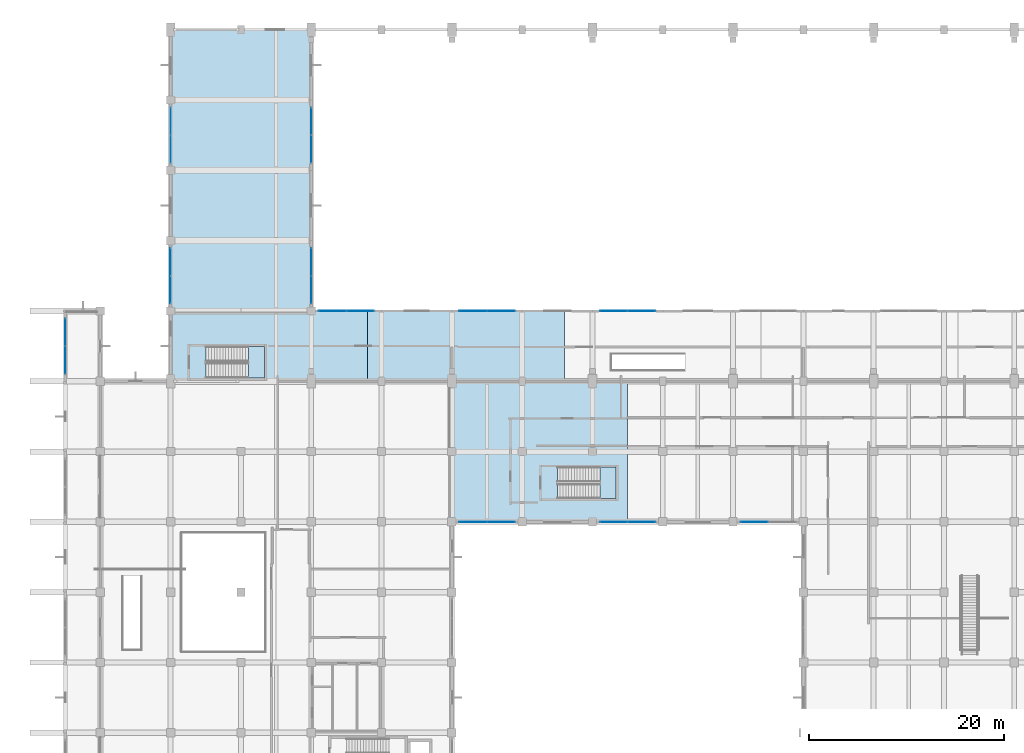
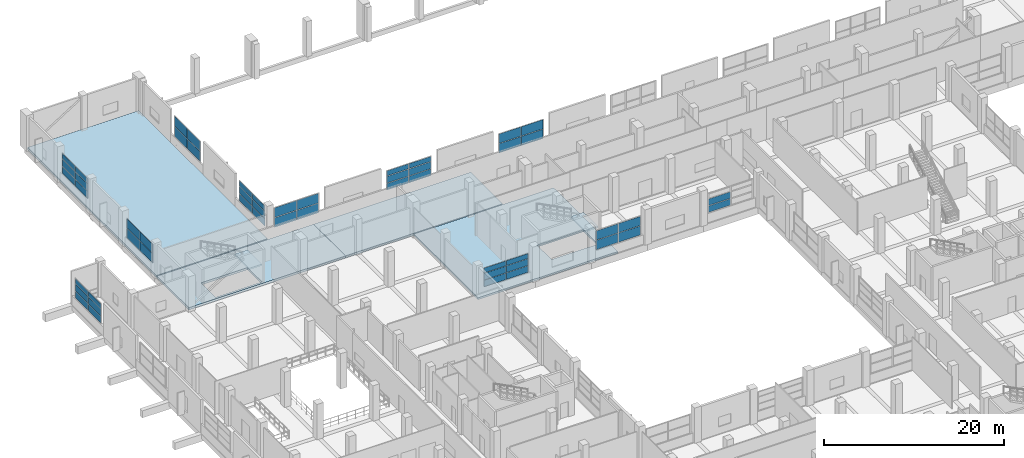
# One storey, part 148 of 181: 52 plates, 6 slabs, 13 elements without a shape of their own.
"""IFC4 building model written with IfcOpenShell, lengths in metres."""

from ifc_helpers import new_model, si_unit, direction, frame, origin, origin_2d, place, context, subcontext, project, spatial, polyline, rectangle, outline, extrude, material, layer, layer_set, type_object, element, aggregate, save


model = new_model("IFC4")

# Units and contexts
model_context = context("Model", 3, precision=1e-05, world=origin(), true_north=direction((0.0, 1.0)))
body_context = subcontext(model_context, "Body", "Model", "MODEL_VIEW")
ifc_project = project(units=[si_unit("LENGTHUNIT", "METRE"), si_unit("AREAUNIT", "SQUARE_METRE"), si_unit("VOLUMEUNIT", "CUBIC_METRE"), si_unit("PLANEANGLEUNIT", "RADIAN"), si_unit("MASSUNIT", "GRAM", prefix="KILO")], contexts=[model_context])

# Site, building, storey
site_placement = place(None, origin())
site = spatial("IfcSite", under=ifc_project, at=site_placement, CompositionType="ELEMENT")
building_placement = place(site_placement, origin())
building = spatial("IfcBuilding", under=site, at=building_placement, Name="Seraya Terrace Polytechnic", CompositionType="ELEMENT")
storey_placement = place(building_placement, frame((0.0, 0.0, 4.800048828125)))
storey = spatial("IfcBuildingStorey", under=building, at=storey_placement, Name="L01", CompositionType="ELEMENT", Elevation=4.800048828125)

# Curtain wall, plates
ifc_material_1 = material(Name="Anodised aluminium EN AW-6063 T6", Category="aluminium")
ifc_layer_1 = layer(ifc_material_1, 0.179931640625, Name="CW-07")
ifc_layer_set_1 = layer_set([ifc_layer_1], Name="Anodised aluminium EN AW-6063 T6")
curtain_wall_type_1 = type_object("IfcCurtainWallType", Name="CW-07", PredefinedType="NOTDEFINED", material=ifc_layer_set_1)
curtain_wall_1_placement = place(storey_placement, origin())
curtain_wall_1 = element("IfcCurtainWall", 1, at=curtain_wall_1_placement, inside=storey, type_object=curtain_wall_type_1, Name="Unitised curtain wall CW-07 (CW-L01-007)", PredefinedType="NOTDEFINED")
ifc_material_2 = material(Name="Laminated solar-control Low-E double glazing", Category="glass")
ifc_layer_2 = layer(ifc_material_2, 0.028076171875, Name="CWP-01")
ifc_layer_set_2 = layer_set([ifc_layer_2], Name="Laminated solar-control Low-E double glazing")
plate_type_1 = type_object("IfcPlateType", Name="CWP-01", PredefinedType="CURTAIN_PANEL", material=ifc_layer_set_2)
plate_1_placement = place(storey_placement, frame((14.39990234375, 102.976318359375, 1.2998046875), z_axis=(0.0, 0.0, 1.0), x_axis=(0.0, 1.0, 0.0)))
plate_1 = element("IfcPlate", 2, at=plate_1_placement, type_object=plate_type_1, Name="CW-07 panel 1.1", PredefinedType="CURTAIN_PANEL", context=body_context, shape_type="SweptSolid", body=[
    extrude(rectangle(XDim=2.782470703125, YDim=0.028076171875, at=origin_2d()), origin(), (0.0, 0.0, 1.0), 0.92529296875),
])
plate_2_placement = place(storey_placement, frame((14.39990234375, 102.976318359375, 2.28515625), z_axis=(0.0, 0.0, 1.0), x_axis=(0.0, 1.0, 0.0)))
plate_2 = element("IfcPlate", 3, at=plate_2_placement, type_object=plate_type_1, Name="CW-07 panel 1.2", PredefinedType="CURTAIN_PANEL", context=body_context, shape_type="SweptSolid", body=[
    extrude(rectangle(XDim=2.782470703125, YDim=0.028076171875, at=origin_2d()), origin(), (0.0, 0.0, 1.0), 0.955078125),
])
plate_3_placement = place(storey_placement, frame((14.39990234375, 102.976318359375, 3.30029296875), z_axis=(0.0, 0.0, 1.0), x_axis=(0.0, 1.0, 0.0)))
plate_3 = element("IfcPlate", 4, at=plate_3_placement, type_object=plate_type_1, Name="CW-07 panel 1.3", PredefinedType="CURTAIN_PANEL", context=body_context, shape_type="SweptSolid", body=[
    extrude(rectangle(XDim=2.782470703125, YDim=0.028076171875, at=origin_2d()), origin(), (0.0, 0.0, 1.0), 0.69970703125),
])
plate_4_placement = place(storey_placement, frame((14.39990234375, 105.82373046875, 1.2998046875), z_axis=(0.0, 0.0, 1.0), x_axis=(0.0, 1.0, 0.0)))
plate_4 = element("IfcPlate", 5, at=plate_4_placement, type_object=plate_type_1, Name="CW-07 panel 2.1", PredefinedType="CURTAIN_PANEL", context=body_context, shape_type="SweptSolid", body=[
    extrude(rectangle(XDim=2.782470703125, YDim=0.028076171875, at=origin_2d()), origin(), (0.0, 0.0, 1.0), 0.92529296875),
])
plate_5_placement = place(storey_placement, frame((14.39990234375, 105.82373046875, 2.28515625), z_axis=(0.0, 0.0, 1.0), x_axis=(0.0, 1.0, 0.0)))
plate_5 = element("IfcPlate", 6, at=plate_5_placement, type_object=plate_type_1, Name="CW-07 panel 2.2", PredefinedType="CURTAIN_PANEL", context=body_context, shape_type="SweptSolid", body=[
    extrude(rectangle(XDim=2.782470703125, YDim=0.028076171875, at=origin_2d()), origin(), (0.0, 0.0, 1.0), 0.955078125),
])
plate_6_placement = place(storey_placement, frame((14.39990234375, 105.82373046875, 3.30029296875), z_axis=(0.0, 0.0, 1.0), x_axis=(0.0, 1.0, 0.0)))
plate_6 = element("IfcPlate", 7, at=plate_6_placement, type_object=plate_type_1, Name="CW-07 panel 2.3", PredefinedType="CURTAIN_PANEL", context=body_context, shape_type="SweptSolid", body=[
    extrude(rectangle(XDim=2.782470703125, YDim=0.028076171875, at=origin_2d()), origin(), (0.0, 0.0, 1.0), 0.69970703125),
])
aggregate(curtain_wall_1, [plate_1, plate_2, plate_3, plate_4, plate_5, plate_6])

ifc_layer_3 = layer(ifc_material_1, 0.179931640625, Name="CW-10")
ifc_layer_set_3 = layer_set([ifc_layer_3], Name="Anodised aluminium EN AW-6063 T6")
curtain_wall_type_2 = type_object("IfcCurtainWallType", Name="CW-10", PredefinedType="NOTDEFINED", material=ifc_layer_set_3)
curtain_wall_2_placement = place(storey_placement, origin())
curtain_wall_2 = element("IfcCurtainWall", 8, at=curtain_wall_2_placement, inside=storey, type_object=curtain_wall_type_2, Name="Unitised curtain wall CW-10 (CW-L01-010)", PredefinedType="NOTDEFINED")
plate_7_placement = place(storey_placement, frame((30.976318359375, 86.39990234375, 1.300048828125), z_axis=(0.0, 0.0, 1.0), x_axis=(1.0, 0.0, 0.0)))
plate_7 = element("IfcPlate", 9, at=plate_7_placement, type_object=plate_type_1, Name="CW-10 panel 1.1", PredefinedType="CURTAIN_PANEL", context=body_context, shape_type="SweptSolid", body=[
    extrude(rectangle(XDim=2.782470703125, YDim=0.028076171875, at=origin_2d()), origin(), (0.0, 0.0, 1.0), 1.2900390625),
])
plate_8_placement = place(storey_placement, frame((30.976318359375, 86.39990234375, 2.64990234375), z_axis=(0.0, 0.0, 1.0), x_axis=(1.0, 0.0, 0.0)))
plate_8 = element("IfcPlate", 10, at=plate_8_placement, type_object=plate_type_1, Name="CW-10 panel 1.2", PredefinedType="CURTAIN_PANEL", context=body_context, shape_type="SweptSolid", body=[
    extrude(rectangle(XDim=2.782470703125, YDim=0.028076171875, at=origin_2d()), origin(), (0.0, 0.0, 1.0), 1.2900390625),
])
plate_9_placement = place(storey_placement, frame((33.82373046875, 86.39990234375, 1.300048828125), z_axis=(0.0, 0.0, 1.0), x_axis=(1.0, 0.0, 0.0)))
plate_9 = element("IfcPlate", 11, at=plate_9_placement, type_object=plate_type_1, Name="CW-10 panel 2.1", PredefinedType="CURTAIN_PANEL", context=body_context, shape_type="SweptSolid", body=[
    extrude(rectangle(XDim=2.782470703125, YDim=0.028076171875, at=origin_2d()), origin(), (0.0, 0.0, 1.0), 1.2900390625),
])
plate_10_placement = place(storey_placement, frame((33.82373046875, 86.39990234375, 2.64990234375), z_axis=(0.0, 0.0, 1.0), x_axis=(1.0, 0.0, 0.0)))
plate_10 = element("IfcPlate", 12, at=plate_10_placement, type_object=plate_type_1, Name="CW-10 panel 2.2", PredefinedType="CURTAIN_PANEL", context=body_context, shape_type="SweptSolid", body=[
    extrude(rectangle(XDim=2.782470703125, YDim=0.028076171875, at=origin_2d()), origin(), (0.0, 0.0, 1.0), 1.2900390625),
])
aggregate(curtain_wall_2, [plate_7, plate_8, plate_9, plate_10])

curtain_wall_3_placement = place(storey_placement, origin())
curtain_wall_3 = element("IfcCurtainWall", 13, at=curtain_wall_3_placement, inside=storey, type_object=curtain_wall_type_1, Name="Unitised curtain wall CW-07 (CW-L01-043)", PredefinedType="NOTDEFINED")
plate_11_placement = place(storey_placement, frame((74.17626953125, 64.800048828125, 1.300048828125), z_axis=(0.0, 0.0, 1.0), x_axis=(-1.0, 0.0, 0.0)))
plate_11 = element("IfcPlate", 14, at=plate_11_placement, type_object=plate_type_1, Name="CW-07 panel 2.1", PredefinedType="CURTAIN_PANEL", context=body_context, shape_type="SweptSolid", body=[
    extrude(rectangle(XDim=2.782470703125, YDim=0.028076171875, at=origin_2d()), origin(), (0.0, 0.0, 1.0), 0.8603515625),
])
plate_12_placement = place(storey_placement, frame((74.17626953125, 64.800048828125, 2.22021484375), z_axis=(0.0, 0.0, 1.0), x_axis=(-1.0, 0.0, 0.0)))
plate_12 = element("IfcPlate", 15, at=plate_12_placement, type_object=plate_type_1, Name="CW-07 panel 2.2", PredefinedType="CURTAIN_PANEL", context=body_context, shape_type="SweptSolid", body=[
    extrude(rectangle(XDim=2.782470703125, YDim=0.028076171875, at=origin_2d()), origin(), (0.0, 0.0, 1.0), 0.890380859375),
])
aggregate(curtain_wall_3, [plate_11, plate_12])

ifc_layer_4 = layer(ifc_material_1, 0.179931640625, Name="CW-05")
ifc_layer_set_4 = layer_set([ifc_layer_4], Name="Anodised aluminium EN AW-6063 T6")
curtain_wall_type_3 = type_object("IfcCurtainWallType", Name="CW-05", PredefinedType="NOTDEFINED", material=ifc_layer_set_4)
curtain_wall_4_placement = place(storey_placement, origin())
curtain_wall_4 = element("IfcCurtainWall", 16, at=curtain_wall_4_placement, inside=storey, type_object=curtain_wall_type_3, Name="Unitised curtain wall CW-05 (CW-L01-005)", PredefinedType="NOTDEFINED")
ifc_layer_5 = layer(ifc_material_2, 0.031982421875, Name="CWP-02")
ifc_layer_set_5 = layer_set([ifc_layer_5], Name="Laminated solar-control Low-E double glazing")
plate_type_2 = type_object("IfcPlateType", Name="CWP-02", PredefinedType="CURTAIN_PANEL", material=ifc_layer_set_5)
plate_13_placement = place(storey_placement, frame((3.60009765625, 81.375, 1.300048828125), z_axis=(0.0, 0.0, 1.0), x_axis=(0.0, 1.0, 0.0)))
plate_13 = element("IfcPlate", 17, at=plate_13_placement, type_object=plate_type_2, Name="CW-05 panel 1.1", PredefinedType="CURTAIN_PANEL", context=body_context, shape_type="SweptSolid", body=[
    extrude(rectangle(XDim=2.7900390625, YDim=0.031982421875, at=origin_2d()), origin(), (0.0, 0.0, 1.0), 0.88916015625),
])
plate_14_placement = place(storey_placement, frame((3.60009765625, 81.375, 2.2490234375), z_axis=(0.0, 0.0, 1.0), x_axis=(0.0, 1.0, 0.0)))
plate_14 = element("IfcPlate", 18, at=plate_14_placement, type_object=plate_type_2, Name="CW-05 panel 1.2", PredefinedType="CURTAIN_PANEL", context=body_context, shape_type="SweptSolid", body=[
    extrude(rectangle(XDim=2.7900390625, YDim=0.031982421875, at=origin_2d()), origin(), (0.0, 0.0, 1.0), 0.919189453125),
])
plate_15_placement = place(storey_placement, frame((3.60009765625, 81.375, 3.228515625), z_axis=(0.0, 0.0, 1.0), x_axis=(0.0, 1.0, 0.0)))
plate_15 = element("IfcPlate", 19, at=plate_15_placement, type_object=plate_type_2, Name="CW-05 panel 1.3", PredefinedType="CURTAIN_PANEL", context=body_context, shape_type="SweptSolid", body=[
    extrude(rectangle(XDim=2.7900390625, YDim=0.031982421875, at=origin_2d()), origin(), (0.0, 0.0, 1.0), 0.671630859375),
])
plate_16_placement = place(storey_placement, frame((3.60009765625, 84.22509765625, 1.300048828125), z_axis=(0.0, 0.0, 1.0), x_axis=(0.0, 1.0, 0.0)))
plate_16 = element("IfcPlate", 20, at=plate_16_placement, type_object=plate_type_2, Name="CW-05 panel 2.1", PredefinedType="CURTAIN_PANEL", context=body_context, shape_type="SweptSolid", body=[
    extrude(rectangle(XDim=2.7900390625, YDim=0.031982421875, at=origin_2d()), origin(), (0.0, 0.0, 1.0), 0.88916015625),
])
plate_17_placement = place(storey_placement, frame((3.60009765625, 84.22509765625, 2.2490234375), z_axis=(0.0, 0.0, 1.0), x_axis=(0.0, 1.0, 0.0)))
plate_17 = element("IfcPlate", 21, at=plate_17_placement, type_object=plate_type_2, Name="CW-05 panel 2.2", PredefinedType="CURTAIN_PANEL", context=body_context, shape_type="SweptSolid", body=[
    extrude(rectangle(XDim=2.7900390625, YDim=0.031982421875, at=origin_2d()), origin(), (0.0, 0.0, 1.0), 0.919189453125),
])
plate_18_placement = place(storey_placement, frame((3.60009765625, 84.22509765625, 3.228515625), z_axis=(0.0, 0.0, 1.0), x_axis=(0.0, 1.0, 0.0)))
plate_18 = element("IfcPlate", 22, at=plate_18_placement, type_object=plate_type_2, Name="CW-05 panel 2.3", PredefinedType="CURTAIN_PANEL", context=body_context, shape_type="SweptSolid", body=[
    extrude(rectangle(XDim=2.7900390625, YDim=0.031982421875, at=origin_2d()), origin(), (0.0, 0.0, 1.0), 0.671630859375),
])
aggregate(curtain_wall_4, [plate_13, plate_14, plate_15, plate_16, plate_17, plate_18])

ifc_layer_6 = layer(ifc_material_1, 0.179931640625, Name="CW-08")
ifc_layer_set_6 = layer_set([ifc_layer_6], Name="Anodised aluminium EN AW-6063 T6")
curtain_wall_type_4 = type_object("IfcCurtainWallType", Name="CW-08", PredefinedType="NOTDEFINED", material=ifc_layer_set_6)
curtain_wall_5_placement = place(storey_placement, origin())
curtain_wall_5 = element("IfcCurtainWall", 23, at=curtain_wall_5_placement, inside=storey, type_object=curtain_wall_type_4, Name="Unitised curtain wall CW-08 (CW-L01-008)", PredefinedType="NOTDEFINED")
plate_19_placement = place(storey_placement, frame((28.800048828125, 105.824951171875, 1.2998046875), z_axis=(0.0, 0.0, 1.0), x_axis=(0.0, -1.0, 0.0)))
plate_19 = element("IfcPlate", 24, at=plate_19_placement, type_object=plate_type_2, Name="CW-08 panel 1.1", PredefinedType="CURTAIN_PANEL", context=body_context, shape_type="SweptSolid", body=[
    extrude(rectangle(XDim=2.7900390625, YDim=0.031982421875, at=origin_2d()), origin(), (0.0, 0.0, 1.0), 1.330078125),
])
plate_20_placement = place(storey_placement, frame((28.800048828125, 105.824951171875, 2.68994140625), z_axis=(0.0, 0.0, 1.0), x_axis=(0.0, -1.0, 0.0)))
plate_20 = element("IfcPlate", 25, at=plate_20_placement, type_object=plate_type_2, Name="CW-08 panel 1.2", PredefinedType="CURTAIN_PANEL", context=body_context, shape_type="SweptSolid", body=[
    extrude(rectangle(XDim=2.7900390625, YDim=0.031982421875, at=origin_2d()), origin(), (0.0, 0.0, 1.0), 1.330078125),
])
plate_21_placement = place(storey_placement, frame((28.800048828125, 102.97509765625, 1.2998046875), z_axis=(0.0, 0.0, 1.0), x_axis=(0.0, -1.0, 0.0)))
plate_21 = element("IfcPlate", 26, at=plate_21_placement, type_object=plate_type_2, Name="CW-08 panel 2.1", PredefinedType="CURTAIN_PANEL", context=body_context, shape_type="SweptSolid", body=[
    extrude(rectangle(XDim=2.7900390625, YDim=0.031982421875, at=origin_2d()), origin(), (0.0, 0.0, 1.0), 1.330078125),
])
plate_22_placement = place(storey_placement, frame((28.800048828125, 102.97509765625, 2.68994140625), z_axis=(0.0, 0.0, 1.0), x_axis=(0.0, -1.0, 0.0)))
plate_22 = element("IfcPlate", 27, at=plate_22_placement, type_object=plate_type_2, Name="CW-08 panel 2.2", PredefinedType="CURTAIN_PANEL", context=body_context, shape_type="SweptSolid", body=[
    extrude(rectangle(XDim=2.7900390625, YDim=0.031982421875, at=origin_2d()), origin(), (0.0, 0.0, 1.0), 1.330078125),
])
aggregate(curtain_wall_5, [plate_19, plate_20, plate_21, plate_22])

ifc_layer_7 = layer(ifc_material_1, 0.179931640625, Name="CW-11")
ifc_layer_set_7 = layer_set([ifc_layer_7], Name="Anodised aluminium EN AW-6063 T6")
curtain_wall_type_5 = type_object("IfcCurtainWallType", Name="CW-11", PredefinedType="NOTDEFINED", material=ifc_layer_set_7)
curtain_wall_6_placement = place(storey_placement, origin())
curtain_wall_6 = element("IfcCurtainWall", 28, at=curtain_wall_6_placement, inside=storey, type_object=curtain_wall_type_5, Name="Unitised curtain wall CW-11 (CW-L01-011)", PredefinedType="NOTDEFINED")
plate_23_placement = place(storey_placement, frame((45.375, 86.39990234375, 1.300048828125), z_axis=(0.0, 0.0, 1.0), x_axis=(1.0, 0.0, 0.0)))
plate_23 = element("IfcPlate", 29, at=plate_23_placement, type_object=plate_type_2, Name="CW-11 panel 1.1", PredefinedType="CURTAIN_PANEL", context=body_context, shape_type="SweptSolid", body=[
    extrude(rectangle(XDim=2.7900390625, YDim=0.031982421875, at=origin_2d()), origin(), (0.0, 0.0, 1.0), 0.88916015625),
])
plate_24_placement = place(storey_placement, frame((45.375, 86.39990234375, 2.2490234375), z_axis=(0.0, 0.0, 1.0), x_axis=(1.0, 0.0, 0.0)))
plate_24 = element("IfcPlate", 30, at=plate_24_placement, type_object=plate_type_2, Name="CW-11 panel 1.2", PredefinedType="CURTAIN_PANEL", context=body_context, shape_type="SweptSolid", body=[
    extrude(rectangle(XDim=2.7900390625, YDim=0.031982421875, at=origin_2d()), origin(), (0.0, 0.0, 1.0), 0.919189453125),
])
plate_25_placement = place(storey_placement, frame((45.375, 86.39990234375, 3.228515625), z_axis=(0.0, 0.0, 1.0), x_axis=(1.0, 0.0, 0.0)))
plate_25 = element("IfcPlate", 31, at=plate_25_placement, type_object=plate_type_2, Name="CW-11 panel 1.3", PredefinedType="CURTAIN_PANEL", context=body_context, shape_type="SweptSolid", body=[
    extrude(rectangle(XDim=2.7900390625, YDim=0.031982421875, at=origin_2d()), origin(), (0.0, 0.0, 1.0), 0.671630859375),
])
plate_26_placement = place(storey_placement, frame((48.22509765625, 86.39990234375, 1.300048828125), z_axis=(0.0, 0.0, 1.0), x_axis=(1.0, 0.0, 0.0)))
plate_26 = element("IfcPlate", 32, at=plate_26_placement, type_object=plate_type_2, Name="CW-11 panel 2.1", PredefinedType="CURTAIN_PANEL", context=body_context, shape_type="SweptSolid", body=[
    extrude(rectangle(XDim=2.7900390625, YDim=0.031982421875, at=origin_2d()), origin(), (0.0, 0.0, 1.0), 0.88916015625),
])
plate_27_placement = place(storey_placement, frame((48.22509765625, 86.39990234375, 2.2490234375), z_axis=(0.0, 0.0, 1.0), x_axis=(1.0, 0.0, 0.0)))
plate_27 = element("IfcPlate", 33, at=plate_27_placement, type_object=plate_type_2, Name="CW-11 panel 2.2", PredefinedType="CURTAIN_PANEL", context=body_context, shape_type="SweptSolid", body=[
    extrude(rectangle(XDim=2.7900390625, YDim=0.031982421875, at=origin_2d()), origin(), (0.0, 0.0, 1.0), 0.919189453125),
])
plate_28_placement = place(storey_placement, frame((48.22509765625, 86.39990234375, 3.228515625), z_axis=(0.0, 0.0, 1.0), x_axis=(1.0, 0.0, 0.0)))
plate_28 = element("IfcPlate", 34, at=plate_28_placement, type_object=plate_type_2, Name="CW-11 panel 2.3", PredefinedType="CURTAIN_PANEL", context=body_context, shape_type="SweptSolid", body=[
    extrude(rectangle(XDim=2.7900390625, YDim=0.031982421875, at=origin_2d()), origin(), (0.0, 0.0, 1.0), 0.671630859375),
])
aggregate(curtain_wall_6, [plate_23, plate_24, plate_25, plate_26, plate_27, plate_28])

curtain_wall_7_placement = place(storey_placement, origin())
curtain_wall_7 = element("IfcCurtainWall", 35, at=curtain_wall_7_placement, inside=storey, type_object=curtain_wall_type_4, Name="Unitised curtain wall CW-08 (CW-L01-044)", PredefinedType="NOTDEFINED")
plate_29_placement = place(storey_placement, frame((62.625, 64.800048828125, 1.300048828125), z_axis=(0.0, 0.0, 1.0), x_axis=(-1.0, 0.0, 0.0)))
plate_29 = element("IfcPlate", 36, at=plate_29_placement, type_object=plate_type_2, Name="CW-08 panel 1.1", PredefinedType="CURTAIN_PANEL", context=body_context, shape_type="SweptSolid", body=[
    extrude(rectangle(XDim=2.7900390625, YDim=0.031982421875, at=origin_2d()), origin(), (0.0, 0.0, 1.0), 1.22998046875),
])
plate_30_placement = place(storey_placement, frame((62.625, 64.800048828125, 2.58984375), z_axis=(0.0, 0.0, 1.0), x_axis=(-1.0, 0.0, 0.0)))
plate_30 = element("IfcPlate", 37, at=plate_30_placement, type_object=plate_type_2, Name="CW-08 panel 1.2", PredefinedType="CURTAIN_PANEL", context=body_context, shape_type="SweptSolid", body=[
    extrude(rectangle(XDim=2.7900390625, YDim=0.031982421875, at=origin_2d()), origin(), (0.0, 0.0, 1.0), 1.22998046875),
])
plate_31_placement = place(storey_placement, frame((59.77490234375, 64.800048828125, 1.300048828125), z_axis=(0.0, 0.0, 1.0), x_axis=(-1.0, 0.0, 0.0)))
plate_31 = element("IfcPlate", 38, at=plate_31_placement, type_object=plate_type_2, Name="CW-08 panel 2.1", PredefinedType="CURTAIN_PANEL", context=body_context, shape_type="SweptSolid", body=[
    extrude(rectangle(XDim=2.7900390625, YDim=0.031982421875, at=origin_2d()), origin(), (0.0, 0.0, 1.0), 1.22998046875),
])
plate_32_placement = place(storey_placement, frame((59.77490234375, 64.800048828125, 2.58984375), z_axis=(0.0, 0.0, 1.0), x_axis=(-1.0, 0.0, 0.0)))
plate_32 = element("IfcPlate", 39, at=plate_32_placement, type_object=plate_type_2, Name="CW-08 panel 2.2", PredefinedType="CURTAIN_PANEL", context=body_context, shape_type="SweptSolid", body=[
    extrude(rectangle(XDim=2.7900390625, YDim=0.031982421875, at=origin_2d()), origin(), (0.0, 0.0, 1.0), 1.22998046875),
])
aggregate(curtain_wall_7, [plate_29, plate_30, plate_31, plate_32])

ifc_layer_8 = layer(ifc_material_1, 0.179931640625, Name="CW-06")
ifc_layer_set_8 = layer_set([ifc_layer_8], Name="Anodised aluminium EN AW-6063 T6")
curtain_wall_type_6 = type_object("IfcCurtainWallType", Name="CW-06", PredefinedType="NOTDEFINED", material=ifc_layer_set_8)
curtain_wall_8_placement = place(storey_placement, origin())
curtain_wall_8 = element("IfcCurtainWall", 40, at=curtain_wall_8_placement, inside=storey, type_object=curtain_wall_type_6, Name="Unitised curtain wall CW-06 (CW-L01-006)", PredefinedType="NOTDEFINED")
ifc_layer_9 = layer(ifc_material_2, 0.035888671875, Name="CWP-03")
ifc_layer_set_9 = layer_set([ifc_layer_9], Name="Laminated solar-control Low-E double glazing")
plate_type_3 = type_object("IfcPlateType", Name="CWP-03", PredefinedType="CURTAIN_PANEL", material=ifc_layer_set_9)
plate_33_placement = place(storey_placement, frame((14.39990234375, 88.574951171875, 1.294921875), z_axis=(0.0, 0.0, 1.0), x_axis=(0.0, 1.0, 0.0)))
plate_33 = element("IfcPlate", 41, at=plate_33_placement, type_object=plate_type_3, Name="CW-06 panel 1.1", PredefinedType="CURTAIN_PANEL", context=body_context, shape_type="SweptSolid", body=[
    extrude(rectangle(XDim=2.7900390625, YDim=0.035888671875, at=origin_2d()), origin(), (0.0, 0.0, 1.0), 1.257568359375),
])
plate_34_placement = place(storey_placement, frame((14.39990234375, 88.574951171875, 2.607421875), z_axis=(0.0, 0.0, 1.0), x_axis=(0.0, 1.0, 0.0)))
plate_34 = element("IfcPlate", 42, at=plate_34_placement, type_object=plate_type_3, Name="CW-06 panel 1.2", PredefinedType="CURTAIN_PANEL", context=body_context, shape_type="SweptSolid", body=[
    extrude(rectangle(XDim=2.7900390625, YDim=0.035888671875, at=origin_2d()), origin(), (0.0, 0.0, 1.0), 1.257568359375),
])
plate_35_placement = place(storey_placement, frame((14.39990234375, 91.425048828125, 1.294921875), z_axis=(0.0, 0.0, 1.0), x_axis=(0.0, 1.0, 0.0)))
plate_35 = element("IfcPlate", 43, at=plate_35_placement, type_object=plate_type_3, Name="CW-06 panel 2.1", PredefinedType="CURTAIN_PANEL", context=body_context, shape_type="SweptSolid", body=[
    extrude(rectangle(XDim=2.7900390625, YDim=0.035888671875, at=origin_2d()), origin(), (0.0, 0.0, 1.0), 1.257568359375),
])
plate_36_placement = place(storey_placement, frame((14.39990234375, 91.425048828125, 2.607421875), z_axis=(0.0, 0.0, 1.0), x_axis=(0.0, 1.0, 0.0)))
plate_36 = element("IfcPlate", 44, at=plate_36_placement, type_object=plate_type_3, Name="CW-06 panel 2.2", PredefinedType="CURTAIN_PANEL", context=body_context, shape_type="SweptSolid", body=[
    extrude(rectangle(XDim=2.7900390625, YDim=0.035888671875, at=origin_2d()), origin(), (0.0, 0.0, 1.0), 1.257568359375),
])
aggregate(curtain_wall_8, [plate_33, plate_34, plate_35, plate_36])

ifc_layer_10 = layer(ifc_material_1, 0.179931640625, Name="CW-09")
ifc_layer_set_10 = layer_set([ifc_layer_10], Name="Anodised aluminium EN AW-6063 T6")
curtain_wall_type_7 = type_object("IfcCurtainWallType", Name="CW-09", PredefinedType="NOTDEFINED", material=ifc_layer_set_10)
curtain_wall_9_placement = place(storey_placement, origin())
curtain_wall_9 = element("IfcCurtainWall", 45, at=curtain_wall_9_placement, inside=storey, type_object=curtain_wall_type_7, Name="Unitised curtain wall CW-09 (CW-L01-009)", PredefinedType="NOTDEFINED")
plate_37_placement = place(storey_placement, frame((28.800048828125, 91.425048828125, 1.294921875), z_axis=(0.0, 0.0, 1.0), x_axis=(0.0, -1.0, 0.0)))
plate_37 = element("IfcPlate", 46, at=plate_37_placement, type_object=plate_type_3, Name="CW-09 panel 1.1", PredefinedType="CURTAIN_PANEL", context=body_context, shape_type="SweptSolid", body=[
    extrude(rectangle(XDim=2.7900390625, YDim=0.035888671875, at=origin_2d()), origin(), (0.0, 0.0, 1.0), 0.925537109375),
])
plate_38_placement = place(storey_placement, frame((28.800048828125, 91.425048828125, 2.275390625), z_axis=(0.0, 0.0, 1.0), x_axis=(0.0, -1.0, 0.0)))
plate_38 = element("IfcPlate", 47, at=plate_38_placement, type_object=plate_type_3, Name="CW-09 panel 1.2", PredefinedType="CURTAIN_PANEL", context=body_context, shape_type="SweptSolid", body=[
    extrude(rectangle(XDim=2.7900390625, YDim=0.035888671875, at=origin_2d()), origin(), (0.0, 0.0, 1.0), 0.952880859375),
])
plate_39_placement = place(storey_placement, frame((28.800048828125, 91.425048828125, 3.28369140625), z_axis=(0.0, 0.0, 1.0), x_axis=(0.0, -1.0, 0.0)))
plate_39 = element("IfcPlate", 48, at=plate_39_placement, type_object=plate_type_3, Name="CW-09 panel 1.3", PredefinedType="CURTAIN_PANEL", context=body_context, shape_type="SweptSolid", body=[
    extrude(rectangle(XDim=2.7900390625, YDim=0.035888671875, at=origin_2d()), origin(), (0.0, 0.0, 1.0), 0.701416015625),
])
plate_40_placement = place(storey_placement, frame((28.800048828125, 88.574951171875, 1.294921875), z_axis=(0.0, 0.0, 1.0), x_axis=(0.0, -1.0, 0.0)))
plate_40 = element("IfcPlate", 49, at=plate_40_placement, type_object=plate_type_3, Name="CW-09 panel 2.1", PredefinedType="CURTAIN_PANEL", context=body_context, shape_type="SweptSolid", body=[
    extrude(rectangle(XDim=2.7900390625, YDim=0.035888671875, at=origin_2d()), origin(), (0.0, 0.0, 1.0), 0.925537109375),
])
plate_41_placement = place(storey_placement, frame((28.800048828125, 88.574951171875, 2.275390625), z_axis=(0.0, 0.0, 1.0), x_axis=(0.0, -1.0, 0.0)))
plate_41 = element("IfcPlate", 50, at=plate_41_placement, type_object=plate_type_3, Name="CW-09 panel 2.2", PredefinedType="CURTAIN_PANEL", context=body_context, shape_type="SweptSolid", body=[
    extrude(rectangle(XDim=2.7900390625, YDim=0.035888671875, at=origin_2d()), origin(), (0.0, 0.0, 1.0), 0.952880859375),
])
plate_42_placement = place(storey_placement, frame((28.800048828125, 88.574951171875, 3.28369140625), z_axis=(0.0, 0.0, 1.0), x_axis=(0.0, -1.0, 0.0)))
plate_42 = element("IfcPlate", 51, at=plate_42_placement, type_object=plate_type_3, Name="CW-09 panel 2.3", PredefinedType="CURTAIN_PANEL", context=body_context, shape_type="SweptSolid", body=[
    extrude(rectangle(XDim=2.7900390625, YDim=0.035888671875, at=origin_2d()), origin(), (0.0, 0.0, 1.0), 0.701416015625),
])
aggregate(curtain_wall_9, [plate_37, plate_38, plate_39, plate_40, plate_41, plate_42])

ifc_layer_11 = layer(ifc_material_1, 0.179931640625, Name="CW-12")
ifc_layer_set_11 = layer_set([ifc_layer_11], Name="Anodised aluminium EN AW-6063 T6")
curtain_wall_type_8 = type_object("IfcCurtainWallType", Name="CW-12", PredefinedType="NOTDEFINED", material=ifc_layer_set_11)
curtain_wall_10_placement = place(storey_placement, origin())
curtain_wall_10 = element("IfcCurtainWall", 52, at=curtain_wall_10_placement, inside=storey, type_object=curtain_wall_type_8, Name="Unitised curtain wall CW-12 (CW-L01-012)", PredefinedType="NOTDEFINED")
plate_43_placement = place(storey_placement, frame((59.77490234375, 86.39990234375, 1.294921875), z_axis=(0.0, 0.0, 1.0), x_axis=(1.0, 0.0, 0.0)))
plate_43 = element("IfcPlate", 53, at=plate_43_placement, type_object=plate_type_3, Name="CW-12 panel 1.1", PredefinedType="CURTAIN_PANEL", context=body_context, shape_type="SweptSolid", body=[
    extrude(rectangle(XDim=2.7900390625, YDim=0.035888671875, at=origin_2d()), origin(), (0.0, 0.0, 1.0), 1.257568359375),
])
plate_44_placement = place(storey_placement, frame((59.77490234375, 86.39990234375, 2.607421875), z_axis=(0.0, 0.0, 1.0), x_axis=(1.0, 0.0, 0.0)))
plate_44 = element("IfcPlate", 54, at=plate_44_placement, type_object=plate_type_3, Name="CW-12 panel 1.2", PredefinedType="CURTAIN_PANEL", context=body_context, shape_type="SweptSolid", body=[
    extrude(rectangle(XDim=2.7900390625, YDim=0.035888671875, at=origin_2d()), origin(), (0.0, 0.0, 1.0), 1.257568359375),
])
plate_45_placement = place(storey_placement, frame((62.625, 86.39990234375, 1.294921875), z_axis=(0.0, 0.0, 1.0), x_axis=(1.0, 0.0, 0.0)))
plate_45 = element("IfcPlate", 55, at=plate_45_placement, type_object=plate_type_3, Name="CW-12 panel 2.1", PredefinedType="CURTAIN_PANEL", context=body_context, shape_type="SweptSolid", body=[
    extrude(rectangle(XDim=2.7900390625, YDim=0.035888671875, at=origin_2d()), origin(), (0.0, 0.0, 1.0), 1.257568359375),
])
plate_46_placement = place(storey_placement, frame((62.625, 86.39990234375, 2.607421875), z_axis=(0.0, 0.0, 1.0), x_axis=(1.0, 0.0, 0.0)))
plate_46 = element("IfcPlate", 56, at=plate_46_placement, type_object=plate_type_3, Name="CW-12 panel 2.2", PredefinedType="CURTAIN_PANEL", context=body_context, shape_type="SweptSolid", body=[
    extrude(rectangle(XDim=2.7900390625, YDim=0.035888671875, at=origin_2d()), origin(), (0.0, 0.0, 1.0), 1.257568359375),
])
aggregate(curtain_wall_10, [plate_43, plate_44, plate_45, plate_46])

curtain_wall_11_placement = place(storey_placement, origin())
curtain_wall_11 = element("IfcCurtainWall", 57, at=curtain_wall_11_placement, inside=storey, type_object=curtain_wall_type_7, Name="Unitised curtain wall CW-09 (CW-L01-045)", PredefinedType="NOTDEFINED")
plate_47_placement = place(storey_placement, frame((48.22509765625, 64.800048828125, 1.294921875), z_axis=(0.0, 0.0, 1.0), x_axis=(-1.0, 0.0, 0.0)))
plate_47 = element("IfcPlate", 58, at=plate_47_placement, type_object=plate_type_3, Name="CW-09 panel 1.1", PredefinedType="CURTAIN_PANEL", context=body_context, shape_type="SweptSolid", body=[
    extrude(rectangle(XDim=2.7900390625, YDim=0.035888671875, at=origin_2d()), origin(), (0.0, 0.0, 1.0), 0.867919921875),
])
plate_48_placement = place(storey_placement, frame((48.22509765625, 64.800048828125, 2.2177734375), z_axis=(0.0, 0.0, 1.0), x_axis=(-1.0, 0.0, 0.0)))
plate_48 = element("IfcPlate", 59, at=plate_48_placement, type_object=plate_type_3, Name="CW-09 panel 1.2", PredefinedType="CURTAIN_PANEL", context=body_context, shape_type="SweptSolid", body=[
    extrude(rectangle(XDim=2.7900390625, YDim=0.035888671875, at=origin_2d()), origin(), (0.0, 0.0, 1.0), 0.8955078125),
])
plate_49_placement = place(storey_placement, frame((48.22509765625, 64.800048828125, 3.168212890625), z_axis=(0.0, 0.0, 1.0), x_axis=(-1.0, 0.0, 0.0)))
plate_49 = element("IfcPlate", 60, at=plate_49_placement, type_object=plate_type_3, Name="CW-09 panel 1.3", PredefinedType="CURTAIN_PANEL", context=body_context, shape_type="SweptSolid", body=[
    extrude(rectangle(XDim=2.7900390625, YDim=0.035888671875, at=origin_2d()), origin(), (0.0, 0.0, 1.0), 0.65673828125),
])
plate_50_placement = place(storey_placement, frame((45.375, 64.800048828125, 1.294921875), z_axis=(0.0, 0.0, 1.0), x_axis=(-1.0, 0.0, 0.0)))
plate_50 = element("IfcPlate", 61, at=plate_50_placement, type_object=plate_type_3, Name="CW-09 panel 2.1", PredefinedType="CURTAIN_PANEL", context=body_context, shape_type="SweptSolid", body=[
    extrude(rectangle(XDim=2.7900390625, YDim=0.035888671875, at=origin_2d()), origin(), (0.0, 0.0, 1.0), 0.867919921875),
])
plate_51_placement = place(storey_placement, frame((45.375, 64.800048828125, 2.2177734375), z_axis=(0.0, 0.0, 1.0), x_axis=(-1.0, 0.0, 0.0)))
plate_51 = element("IfcPlate", 62, at=plate_51_placement, type_object=plate_type_3, Name="CW-09 panel 2.2", PredefinedType="CURTAIN_PANEL", context=body_context, shape_type="SweptSolid", body=[
    extrude(rectangle(XDim=2.7900390625, YDim=0.035888671875, at=origin_2d()), origin(), (0.0, 0.0, 1.0), 0.8955078125),
])
plate_52_placement = place(storey_placement, frame((45.375, 64.800048828125, 3.168212890625), z_axis=(0.0, 0.0, 1.0), x_axis=(-1.0, 0.0, 0.0)))
plate_52 = element("IfcPlate", 63, at=plate_52_placement, type_object=plate_type_3, Name="CW-09 panel 2.3", PredefinedType="CURTAIN_PANEL", context=body_context, shape_type="SweptSolid", body=[
    extrude(rectangle(XDim=2.7900390625, YDim=0.035888671875, at=origin_2d()), origin(), (0.0, 0.0, 1.0), 0.65673828125),
])
aggregate(curtain_wall_11, [plate_47, plate_48, plate_49, plate_50, plate_51, plate_52])

# Slabs
ifc_material_3 = material(Name="Concrete C40/50", Category="concrete")
ifc_layer_12 = layer(ifc_material_3, 0.2900390625, Name="FS-01")
ifc_layer_set_12 = layer_set([ifc_layer_12], Name="Concrete C40/50")
slab_type_1 = type_object("IfcSlabType", Name="FS-01", PredefinedType="FLOOR", material=ifc_layer_set_12)
slab_1_placement = place(storey_placement, frame((0.0, 0.0, -0.2900390625)))
element("IfcSlab", 64, at=slab_1_placement, inside=storey, type_object=slab_type_1, Name="Floor slab SLB-V1-GAL-S-L01-S1 (FS-01)", PredefinedType="FLOOR", context=body_context, shape_type="SweptSolid", body=[
    extrude(outline(polyline([(14.4599609375, 79.260009765625), (14.4599609375, 86.340087890625), (34.56005859375, 86.340087890625), (34.56005859375, 79.260009765625), (14.4599609375, 79.260009765625)]), holes=[polyline([(24.0, 79.550048828125), (24.0, 82.75), (18.0400390625, 82.75), (18.0400390625, 79.550048828125), (24.0, 79.550048828125)])]), origin(), (0.0, 0.0, 1.0), 0.2900390625),
])
slab_2_placement = place(storey_placement, frame((0.0, 0.0, -0.2900390625)))
element("IfcSlab", 65, at=slab_2_placement, inside=storey, type_object=slab_type_1, Name="Floor slab SLB-V1-GAL-S-L01-S2 (FS-01)", PredefinedType="FLOOR", context=body_context, shape_type="SweptSolid", body=[
    extrude(outline(polyline([(54.719970703125, 86.340087890625), (54.719970703125, 79.260009765625), (34.56494140625, 79.260009765625), (34.56494140625, 86.340087890625), (54.719970703125, 86.340087890625)])), origin(), (0.0, 0.0, 1.0), 0.2900390625),
])
slab_3_placement = place(storey_placement, frame((0.0, 0.0, -0.2900390625)))
element("IfcSlab", 66, at=slab_3_placement, inside=storey, type_object=slab_type_1, Name="Floor slab SLB-V1-GAL-W-L01-S1 (FS-01)", PredefinedType="FLOOR", context=body_context, shape_type="SweptSolid", body=[
    extrude(outline(polyline([(14.4599609375, 115.139892578125), (28.739990234375, 115.139892578125), (28.739990234375, 86.4599609375), (14.4599609375, 86.4599609375), (14.4599609375, 115.139892578125)])), origin(), (0.0, 0.0, 1.0), 0.2900390625),
])
ifc_layer_13 = layer(ifc_material_3, 0.25, Name="FS-03")
ifc_layer_set_13 = layer_set([ifc_layer_13], Name="Concrete C40/50")
slab_type_2 = type_object("IfcSlabType", Name="FS-03", PredefinedType="FLOOR", material=ifc_layer_set_13)
slab_4_placement = place(storey_placement, frame((0.0, 0.0, -0.25)))
element("IfcSlab", 67, at=slab_4_placement, inside=storey, type_object=slab_type_2, Name="Floor slab SLB-V2-NWRIM-L01-S1 (FS-03)", PredefinedType="FLOOR", context=body_context, shape_type="SweptSolid", body=[
    extrude(outline(polyline([(43.260009765625, 79.139892578125), (61.199951171875, 79.139892578125), (61.199951171875, 64.860107421875), (43.260009765625, 64.860107421875), (43.260009765625, 79.139892578125)]), holes=[polyline([(60.0, 70.39990234375), (54.0400390625, 70.39990234375), (54.0400390625, 67.199951171875), (60.0, 67.199951171875), (60.0, 70.39990234375)])]), origin(), (0.0, 0.0, 1.0), 0.25),
])

# Stair, slab
stair_type = type_object("IfcStairType", Name="ST-T1", PredefinedType="HALF_TURN_STAIR", material=ifc_material_3)
stair_1_placement = place(storey_placement, origin())
stair_1 = element("IfcStair", 68, at=stair_1_placement, inside=storey, type_object=stair_type, Name="L01 Protected exit stair ST-06", PredefinedType="HALF_TURN_STAIR")
ifc_layer_14 = layer(ifc_material_3, 0.199951171875, Name="SL-01")
ifc_layer_set_14 = layer_set([ifc_layer_14], Name="Concrete C40/50")
slab_type_3 = type_object("IfcSlabType", Name="SL-01", PredefinedType="LANDING", material=ifc_layer_set_14)
slab_5_placement = place(storey_placement, frame((0.0, 0.0, 2.199951171875)))
slab_5 = element("IfcSlab", 69, at=slab_5_placement, type_object=slab_type_3, Name="ST-06 landing 1", PredefinedType="LANDING", context=body_context, shape_type="SweptSolid", body=[
    extrude(outline(polyline([(58.35009765625, 67.199951171875), (60.0, 67.199951171875), (60.0, 70.39990234375), (58.35009765625, 70.39990234375), (58.35009765625, 67.199951171875)])), origin(), (0.0, 0.0, 1.0), 0.199951171875),
])
aggregate(stair_1, [slab_5])

stair_2_placement = place(storey_placement, origin())
stair_2 = element("IfcStair", 70, at=stair_2_placement, inside=storey, type_object=stair_type, Name="L01 Protected exit stair ST-07", PredefinedType="HALF_TURN_STAIR")
slab_6_placement = place(storey_placement, frame((0.0, 0.0, 2.199951171875)))
slab_6 = element("IfcSlab", 71, at=slab_6_placement, type_object=slab_type_3, Name="ST-07 landing 1", PredefinedType="LANDING", context=body_context, shape_type="SweptSolid", body=[
    extrude(outline(polyline([(22.35009765625, 79.550048828125), (24.0, 79.550048828125), (24.0, 82.75), (22.35009765625, 82.75), (22.35009765625, 79.550048828125)])), origin(), (0.0, 0.0, 1.0), 0.199951171875),
])
aggregate(stair_2, [slab_6])

save(model, "model.ifc")
